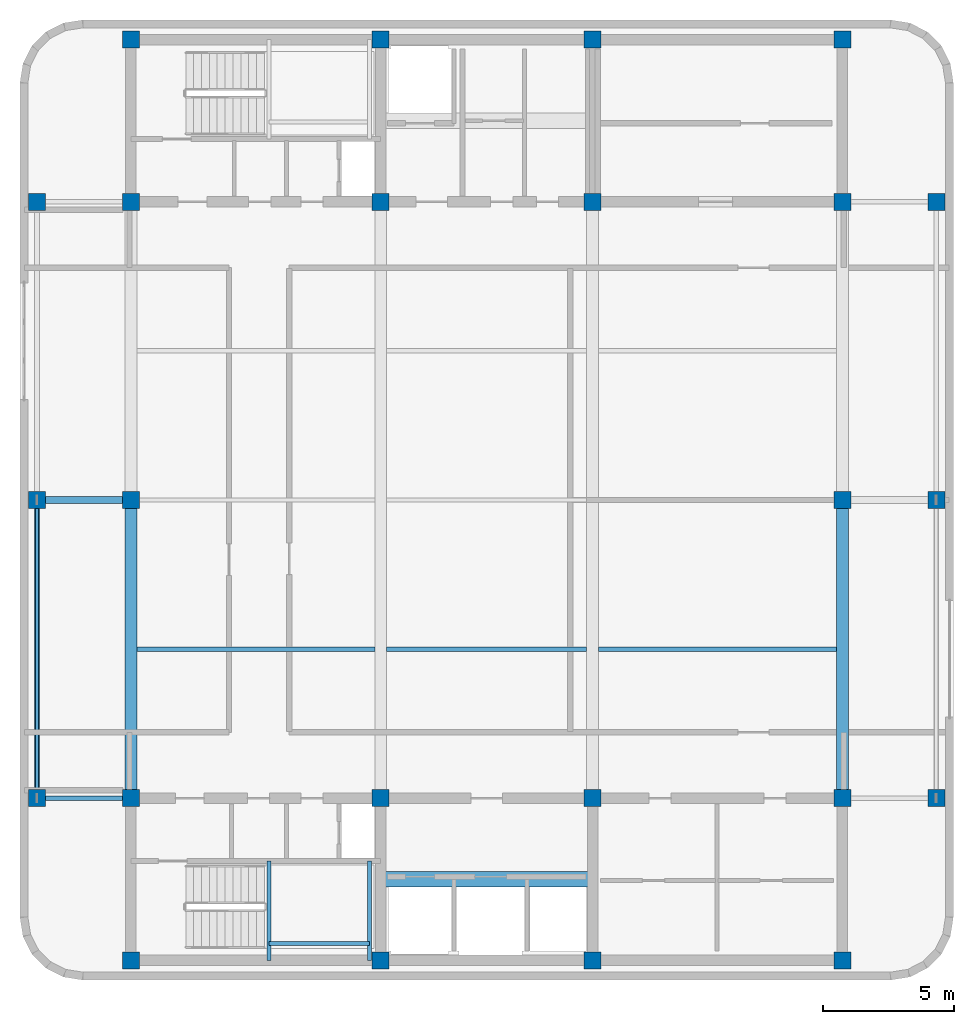
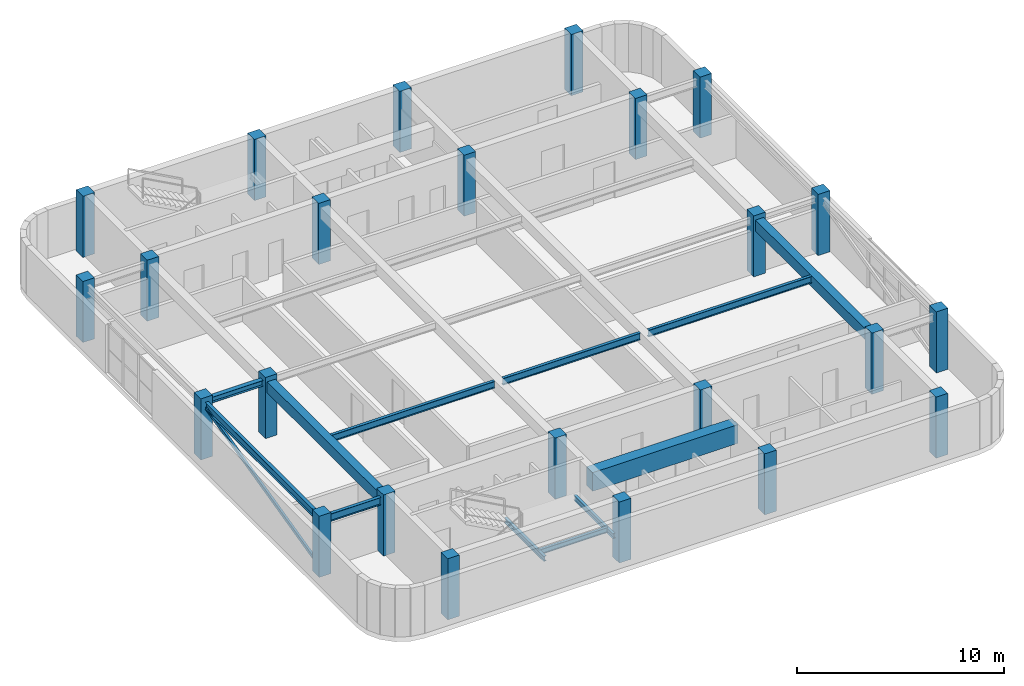
# One storey, part 1 of 9: 24 columns, 12 beams, 1 member.
"""IFC4 building model written with IfcOpenShell, lengths in metres."""

from ifc_helpers import new_model, si_unit, direction, frame, origin, origin_2d, place, context, subcontext, project, spatial, rectangle, hollow_rectangle, i_section, extrude, material, material_profile, profile_set, type_object, element, save


model = new_model("IFC4")

# Units and contexts
model_context = context("Model", 3, precision=1e-05, world=origin(), true_north=direction((0.0, 1.0)))
body_context = subcontext(model_context, "Body", "Model", "MODEL_VIEW")
ifc_project = project(units=[si_unit("LENGTHUNIT", "METRE"), si_unit("AREAUNIT", "SQUARE_METRE"), si_unit("VOLUMEUNIT", "CUBIC_METRE"), si_unit("PLANEANGLEUNIT", "RADIAN"), si_unit("MASSUNIT", "GRAM", prefix="KILO")], contexts=[model_context])

# Site, building, storey
site_placement = place(None, origin())
site = spatial("IfcSite", under=ifc_project, at=site_placement, CompositionType="ELEMENT")
building_placement = place(site_placement, origin())
building = spatial("IfcBuilding", under=site, at=building_placement, Name="Svetorya Sky Lyceum", CompositionType="ELEMENT")
storey_placement = place(building_placement, frame((0.0, 0.0, 309.199951171875)))
storey = spatial("IfcBuildingStorey", under=building, at=storey_placement, Name="C03", CompositionType="ELEMENT", Elevation=309.199951171875)

# Columns
ifc_material_1 = material(Name="Concrete C40/50", Category="concrete")
ifc_material_profile_1 = material_profile(ifc_material_1, rectangle(XDim=0.64990234375, YDim=0.64990234375, at=origin_2d()), Name="RC COL 650x650")
ifc_profile_set_1 = profile_set([ifc_material_profile_1], Name="Concrete C40/50")
column_type = type_object("IfcColumnType", Name="COL-RC-650", PredefinedType="COLUMN", material=ifc_profile_set_1)
for number, where, z_axis, x_axis, name in (
    (1, (25.60009765625, 10.60009765625, 0.0), (0.0, 0.0, 1.0), (1.0, 0.0, 0.0), "C03 Core Column CS-11"),
    (2, (25.60009765625, 16.800048828125, 0.0), (0.0, 0.0, 1.0), (1.0, 0.0, 0.0), "C03 Core Column CS-12"),
    (3, (35.14990234375, 10.60009765625, 0.0), (0.0, 0.0, 1.0), (1.0, 0.0, 0.0), "C03 Core Column CS-21"),
    (4, (35.14990234375, 16.800048828125, 0.0), (0.0, 0.0, 1.0), (1.0, 0.0, 0.0), "C03 Core Column CS-22"),
    (5, (43.25, 10.60009765625, 0.0), (0.0, 0.0, 1.0), (1.0, 0.0, 0.0), "C03 Core Column CS-31"),
    (6, (43.25, 16.800048828125, 0.0), (0.0, 0.0, 1.0), (1.0, 0.0, 0.0), "C03 Core Column CS-32"),
    (7, (52.800048828125, 10.60009765625, 0.0), (0.0, 0.0, 1.0), (1.0, 0.0, 0.0), "C03 Core Column CS-41"),
    (8, (52.800048828125, 16.800048828125, 0.0), (0.0, 0.0, 1.0), (1.0, 0.0, 0.0), "C03 Core Column CS-42"),
    (9, (25.60009765625, 39.60009765625, 0.0), (0.0, 0.0, 1.0), (1.0, 0.0, 0.0), "C03 Core Column CN-11"),
    (10, (25.60009765625, 45.800048828125, 0.0), (0.0, 0.0, 1.0), (1.0, 0.0, 0.0), "C03 Core Column CN-12"),
    (11, (35.14990234375, 39.60009765625, 0.0), (0.0, 0.0, 1.0), (1.0, 0.0, 0.0), "C03 Core Column CN-21"),
    (12, (35.14990234375, 45.800048828125, 0.0), (0.0, 0.0, 1.0), (1.0, 0.0, 0.0), "C03 Core Column CN-22"),
    (13, (43.25, 39.60009765625, 0.0), (0.0, 0.0, 1.0), (1.0, 0.0, 0.0), "C03 Core Column CN-31"),
    (14, (43.25, 45.800048828125, 0.0), (0.0, 0.0, 1.0), (1.0, 0.0, 0.0), "C03 Core Column CN-32"),
    (15, (52.800048828125, 39.60009765625, 0.0), (0.0, 0.0, 1.0), (1.0, 0.0, 0.0), "C03 Core Column CN-41"),
    (16, (52.800048828125, 45.800048828125, 0.0), (0.0, 0.0, 1.0), (1.0, 0.0, 0.0), "C03 Core Column CN-42"),
    (17, (25.60009765625, 28.199951171875, 0.0), (0.0, 0.0, 1.0), (1.0, 0.0, 0.0), "C03 Core Column CM-W"),
    (18, (52.800048828125, 28.199951171875, 0.0), (0.0, 0.0, 1.0), (1.0, 0.0, 0.0), "C03 Core Column CM-E"),
    (19, (22.010009765625, 16.800048828125, 0.0), (0.0, 0.0, 1.0), (1.0, 0.0, 0.0), "C03 Perimeter Column W1"),
    (20, (56.389892578125, 16.800048828125, 0.0), (0.0, 0.0, 1.0), (1.0, 0.0, 0.0), "C03 Perimeter Column E1"),
    (21, (22.010009765625, 28.199951171875, 0.0), (0.0, 0.0, 1.0), (1.0, 0.0, 0.0), "C03 Perimeter Column W2"),
    (22, (56.389892578125, 28.199951171875, 0.0), (0.0, 0.0, 1.0), (1.0, 0.0, 0.0), "C03 Perimeter Column E2"),
    (23, (22.010009765625, 39.60009765625, 0.0), (0.0, 0.0, 1.0), (1.0, 0.0, 0.0), "C03 Perimeter Column W3"),
    (24, (56.389892578125, 39.60009765625, 0.0), (0.0, 0.0, 1.0), (1.0, 0.0, 0.0), "C03 Perimeter Column E3"),
):
    element("IfcColumn", number, at=place(storey_placement, frame(where, z_axis=z_axis, x_axis=x_axis)), inside=storey, type_object=column_type, Name=name, PredefinedType="COLUMN", context=body_context, shape_type="SweptSolid", body=[
        extrude(rectangle(XDim=0.64990234375, YDim=0.64990234375, at=origin_2d()), origin(), (0.0, 0.0, 1.0), 3.60009765625),
    ])

# Beams
ifc_material_2 = material(Name="Concrete C60/75", Category="concrete")
ifc_material_profile_2 = material_profile(ifc_material_2, rectangle(XDim=0.60009765625, YDim=1.10009765625, at=origin_2d()), Name="RC COUPLING 600x1100")
ifc_profile_set_2 = profile_set([ifc_material_profile_2], Name="Concrete C60/75")
beam_type_1 = type_object("IfcBeamType", Name="BM-CPL-1100", PredefinedType="LINTEL", material=ifc_profile_set_2)
beam_1_placement = place(storey_placement, frame((35.14990234375, 13.699951171875, 2.77001953125), z_axis=(1.0, 0.0, 0.0), x_axis=(0.0, 1.0, 0.0)))
element("IfcBeam", 25, at=beam_1_placement, inside=storey, type_object=beam_type_1, Name="C03 SC Core Coupling Beam", PredefinedType="LINTEL", context=body_context, shape_type="SweptSolid", body=[
    extrude(rectangle(XDim=0.60009765625, YDim=1.10009765625, at=origin_2d()), origin(), (0.0, 0.0, 1.0), 8.10009765625),
])
ifc_material_profile_3 = material_profile(ifc_material_1, rectangle(XDim=0.449951171875, YDim=0.64990234375, at=origin_2d()), Name="RC BEAM 450x650")
ifc_profile_set_3 = profile_set([ifc_material_profile_3], Name="Concrete C40/50")
beam_type_2 = type_object("IfcBeamType", Name="BM-RC-650", PredefinedType="BEAM", material=ifc_profile_set_3)
for number, where, z_axis, x_axis, name in (
    (26, (25.60009765625, 16.800048828125, 2.9951171875), (0.0, 1.0, 0.0), (-1.0, 0.0, 0.0), "C03 Central Bay Primary Girder CG-1A"),
    (27, (52.800048828125, 16.800048828125, 2.9951171875), (0.0, 1.0, 0.0), (-1.0, 0.0, 0.0), "C03 Central Bay Primary Girder CG-4A"),
):
    element("IfcBeam", number, at=place(storey_placement, frame(where, z_axis=z_axis, x_axis=x_axis)), inside=storey, type_object=beam_type_2, Name=name, PredefinedType="BEAM", context=body_context, shape_type="SweptSolid", body=[
        extrude(rectangle(XDim=0.449951171875, YDim=0.64990234375, at=origin_2d()), origin(), (0.0, 0.0, 1.0), 11.39990234375),
    ])
ifc_material_3 = material(Name="Steel S355", Category="steel")
ifc_material_profile_4 = material_profile(ifc_material_3, i_section(OverallWidth=0.14990234375, OverallDepth=0.299072265625, WebThickness=0.006591796875, FlangeThickness=0.010498046875, at=origin_2d()), Name="GOST 30B2")
ifc_profile_set_4 = profile_set([ifc_material_profile_4], Name="Steel S355")
beam_type_3 = type_object("IfcBeamType", Name="BM-STL-30B2", PredefinedType="JOIST", material=ifc_profile_set_4)
for number, where, z_axis, x_axis, name in (
    (28, (30.8798828125, 10.60009765625, 1.450439453125), (0.0, 1.0, 0.0), (-1.0, 0.0, 0.0), "C03 Stair ST-S Half-Landing Support Beam 86.1"),
    (29, (34.719970703125, 10.60009765625, 1.450439453125), (0.0, 1.0, 0.0), (-1.0, 0.0, 0.0), "C03 Stair ST-S Half-Landing Support Beam 86.2"),
):
    element("IfcBeam", number, at=place(storey_placement, frame(where, z_axis=z_axis, x_axis=x_axis)), inside=storey, type_object=beam_type_3, Name=name, PredefinedType="JOIST", context=body_context, shape_type="SweptSolid", body=[
        extrude(i_section(OverallWidth=0.14990234375, OverallDepth=0.299072265625, WebThickness=0.006591796875, FlangeThickness=0.010498046875, at=origin_2d()), origin(), (0.0, 0.0, 1.0), 3.7998046875),
    ])
beam_2_placement = place(storey_placement, frame((30.8798828125, 11.25, 1.450439453125), z_axis=(1.0, 0.0, 0.0), x_axis=(0.0, 1.0, 0.0)))
element("IfcBeam", 30, at=beam_2_placement, inside=storey, type_object=beam_type_3, Name="C03 Stair ST-S Half-Landing Cross Tie 86", PredefinedType="JOIST", context=body_context, shape_type="SweptSolid", body=[
    extrude(i_section(OverallWidth=0.14990234375, OverallDepth=0.299072265625, WebThickness=0.006591796875, FlangeThickness=0.010498046875, at=origin_2d()), origin(), (0.0, 0.0, 1.0), 3.840087890625),
])
ifc_material_profile_5 = material_profile(ifc_material_3, i_section(OverallWidth=0.25, OverallDepth=0.345947265625, WebThickness=0.009521484375, FlangeThickness=0.014404296875, at=origin_2d()), Name="GOST 35Sh2")
ifc_profile_set_5 = profile_set([ifc_material_profile_5], Name="Steel S355")
beam_type_4 = type_object("IfcBeamType", Name="BM-STL-35SH2", PredefinedType="BEAM", material=ifc_profile_set_5)
beam_3_placement = place(storey_placement, frame((22.010009765625, 28.199951171875, 3.14697265625), z_axis=(1.0, 0.0, 0.0), x_axis=(0.0, 1.0, 0.0)))
element("IfcBeam", 31, at=beam_3_placement, inside=storey, type_object=beam_type_4, Name="C03 West Wing Floor Joist W2", PredefinedType="BEAM", context=body_context, shape_type="SweptSolid", body=[
    extrude(i_section(OverallWidth=0.25, OverallDepth=0.345947265625, WebThickness=0.009521484375, FlangeThickness=0.014404296875, at=origin_2d()), origin(), (0.0, 0.0, 1.0), 3.590087890625),
])
ifc_material_profile_6 = material_profile(ifc_material_3, i_section(OverallWidth=0.1650390625, OverallDepth=0.39990234375, WebThickness=0.008056640625, FlangeThickness=0.012939453125, at=origin_2d()), Name="GOST 40B2")
ifc_profile_set_6 = profile_set([ifc_material_profile_6], Name="Steel S355")
beam_type_5 = type_object("IfcBeamType", Name="BM-STL-40B2", PredefinedType="JOIST", material=ifc_profile_set_6)
beam_4_placement = place(storey_placement, frame((25.824951171875, 22.5, 3.1201171875), z_axis=(1.0, 0.0, 0.0), x_axis=(0.0, 1.0, 0.0)))
element("IfcBeam", 32, at=beam_4_placement, inside=storey, type_object=beam_type_5, Name="C03 Central Floor Joist CJ-1.1", PredefinedType="JOIST", context=body_context, shape_type="SweptSolid", body=[
    extrude(i_section(OverallWidth=0.1650390625, OverallDepth=0.39990234375, WebThickness=0.008056640625, FlangeThickness=0.012939453125, at=origin_2d()), origin(), (0.0, 0.0, 1.0), 9.10009765625),
])
beam_5_placement = place(storey_placement, frame((35.375, 22.5, 3.1201171875), z_axis=(1.0, 0.0, 0.0), x_axis=(0.0, 1.0, 0.0)))
element("IfcBeam", 33, at=beam_5_placement, inside=storey, type_object=beam_type_5, Name="C03 Central Floor Joist CJ-1.2", PredefinedType="JOIST", context=body_context, shape_type="SweptSolid", body=[
    extrude(i_section(OverallWidth=0.1650390625, OverallDepth=0.39990234375, WebThickness=0.008056640625, FlangeThickness=0.012939453125, at=origin_2d()), origin(), (0.0, 0.0, 1.0), 7.64990234375),
])
beam_6_placement = place(storey_placement, frame((43.47509765625, 22.5, 3.1201171875), z_axis=(1.0, 0.0, 0.0), x_axis=(0.0, 1.0, 0.0)))
element("IfcBeam", 34, at=beam_6_placement, inside=storey, type_object=beam_type_5, Name="C03 Central Floor Joist CJ-1.3", PredefinedType="JOIST", context=body_context, shape_type="SweptSolid", body=[
    extrude(i_section(OverallWidth=0.1650390625, OverallDepth=0.39990234375, WebThickness=0.008056640625, FlangeThickness=0.012939453125, at=origin_2d()), origin(), (0.0, 0.0, 1.0), 9.099853515625),
])
ifc_material_profile_7 = material_profile(ifc_material_3, i_section(OverallWidth=0.179931640625, OverallDepth=0.449951171875, WebThickness=0.009033203125, FlangeThickness=0.014404296875, at=origin_2d()), Name="GOST 45B2")
ifc_profile_set_7 = profile_set([ifc_material_profile_7], Name="Steel S355")
beam_type_6 = type_object("IfcBeamType", Name="BM-STL-45B2", PredefinedType="SPANDREL", material=ifc_profile_set_7)
beam_7_placement = place(storey_placement, frame((22.010009765625, 16.800048828125, 3.094970703125), z_axis=(1.0, 0.0, 0.0), x_axis=(0.0, 1.0, 0.0)))
element("IfcBeam", 35, at=beam_7_placement, inside=storey, type_object=beam_type_6, Name="C03 Tie Spandrel SW", PredefinedType="SPANDREL", context=body_context, shape_type="SweptSolid", body=[
    extrude(i_section(OverallWidth=0.179931640625, OverallDepth=0.449951171875, WebThickness=0.009033203125, FlangeThickness=0.014404296875, at=origin_2d()), origin(), (0.0, 0.0, 1.0), 3.590087890625),
])
beam_8_placement = place(storey_placement, frame((22.010009765625, 16.800048828125, 3.094970703125), z_axis=(0.0, 1.0, 0.0), x_axis=(-1.0, 0.0, 0.0)))
element("IfcBeam", 36, at=beam_8_placement, inside=storey, type_object=beam_type_6, Name="C03 West Spandrel 1", PredefinedType="SPANDREL", context=body_context, shape_type="SweptSolid", body=[
    extrude(i_section(OverallWidth=0.179931640625, OverallDepth=0.449951171875, WebThickness=0.009033203125, FlangeThickness=0.014404296875, at=origin_2d()), origin(), (0.0, 0.0, 1.0), 11.39990234375),
])

# Member
ifc_material_profile_8 = material_profile(ifc_material_3, hollow_rectangle(XDim=0.1201171875, YDim=0.199951171875, WallThickness=0.008056640625, at=origin_2d()), Name="RHS 200x120x8")
ifc_profile_set_8 = profile_set([ifc_material_profile_8], Name="Steel S355")
member_type = type_object("IfcMemberType", Name="MB-STR-RHS200", PredefinedType="STRUT", material=ifc_profile_set_8)
member_placement = place(storey_placement, frame((22.010009765625, 16.800048828125, 0.25), z_axis=(0.0, 0.971724925391, 0.236115796537), x_axis=(-1.0, 0.0, 0.0)))
element("IfcMember", 37, at=member_placement, inside=storey, type_object=member_type, Name="C03 Crown Perimeter Frame Brace W", PredefinedType="STRUT", context=body_context, shape_type="SweptSolid", body=[
    extrude(hollow_rectangle(XDim=0.1201171875, YDim=0.199951171875, WallThickness=0.008056640625, at=origin_2d()), origin(), (0.0, 0.0, 1.0), 11.731689453125),
])

save(model, "model.ifc")
